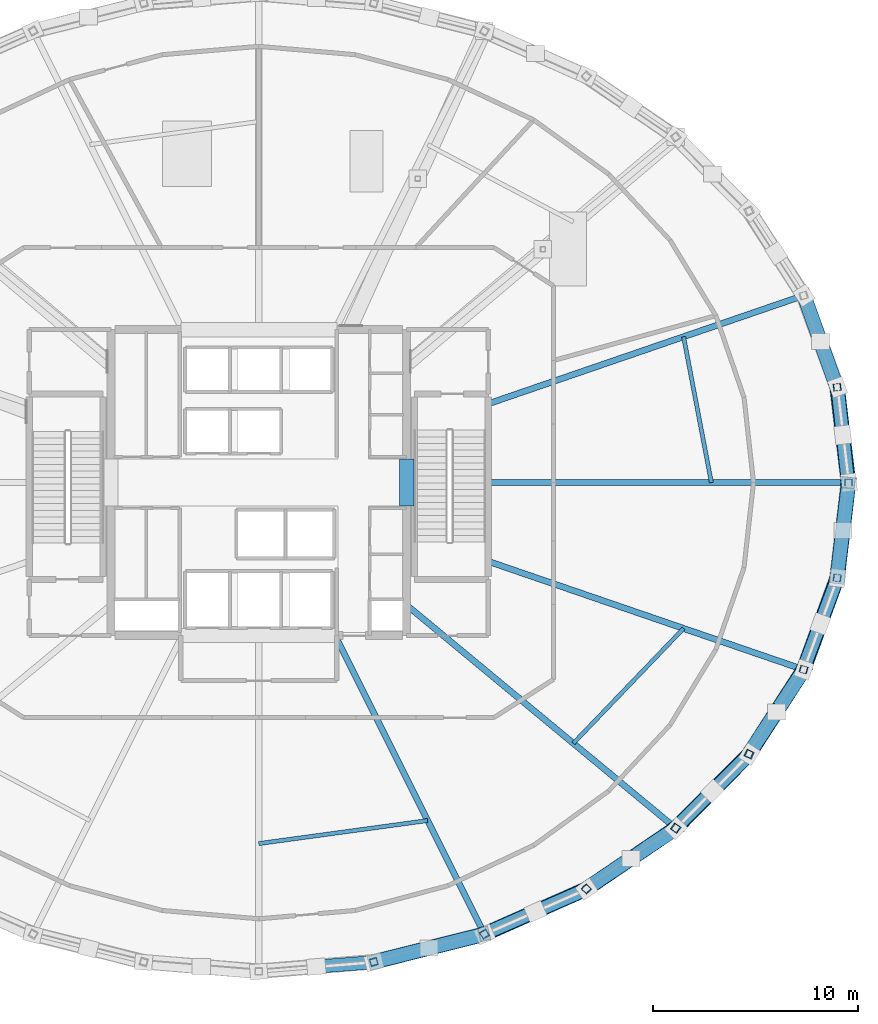
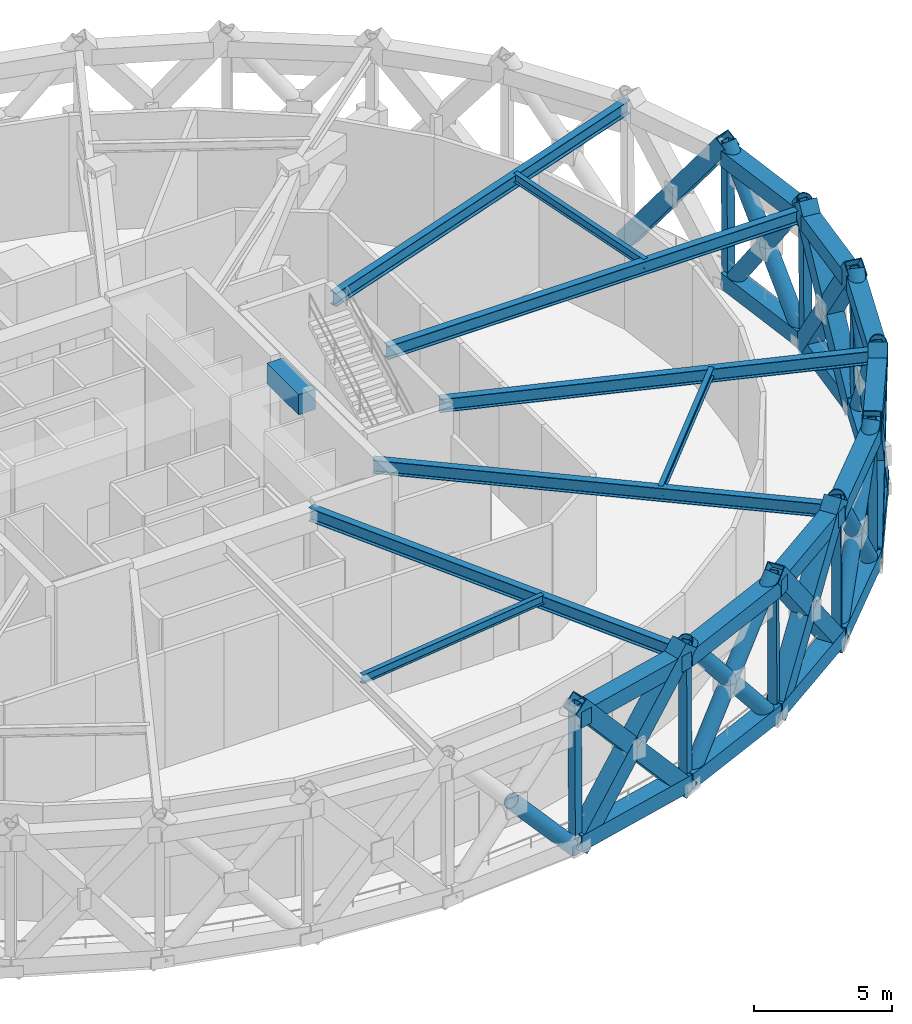
# One storey, part 3 of 15: 36 members, 25 beams.
"""IFC4 building model written with IfcOpenShell, lengths in metres."""

from ifc_helpers import new_model, si_unit, direction, frame, origin, origin_2d, place, context, subcontext, project, spatial, rectangle, hollow_rectangle, hollow_circle, i_section, extrude, material, material_profile, profile_set, type_object, element, save


model = new_model("IFC4")

# Units and contexts
model_context = context("Model", 3, precision=1e-05, world=origin(), true_north=direction((0.0, 1.0)))
body_context = subcontext(model_context, "Body", "Model", "MODEL_VIEW")
ifc_project = project(units=[si_unit("LENGTHUNIT", "METRE"), si_unit("AREAUNIT", "SQUARE_METRE"), si_unit("VOLUMEUNIT", "CUBIC_METRE"), si_unit("PLANEANGLEUNIT", "RADIAN"), si_unit("MASSUNIT", "GRAM", prefix="KILO")], contexts=[model_context])

# Site, building, storey
site_placement = place(None, origin())
site = spatial("IfcSite", under=ifc_project, at=site_placement, CompositionType="ELEMENT")
building_placement = place(site_placement, origin())
building = spatial("IfcBuilding", under=site, at=building_placement, Name="Veldorina Hangang Commons", CompositionType="ELEMENT")
storey_placement = place(building_placement, frame((0.0, 0.0, 110.800048828125)))
storey = spatial("IfcBuildingStorey", under=building, at=storey_placement, Name="L28", CompositionType="ELEMENT", Elevation=110.800048828125)

# Beams
ifc_material_1 = material(Name="Steel SM460-TMC", Category="steel")
ifc_material_profile_1 = material_profile(ifc_material_1, hollow_rectangle(XDim=0.699951171875, YDim=0.699951171875, WallThickness=0.034912109375, at=origin_2d()), Name="BOX-700x700x35")
ifc_profile_set_1 = profile_set([ifc_material_profile_1], Name="Steel SM460-TMC")
beam_type_1 = type_object("IfcBeamType", Name="BM-BLT700", PredefinedType="BEAM", material=ifc_profile_set_1)
beam_1_placement = place(storey_placement, frame((60.710205078125, 24.0, 5.800048828125), z_axis=(-0.11801673487, 0.993011606322, 0.0), x_axis=(-0.993011606322, -0.11801673487, 0.0)))
element("IfcBeam", 1, at=beam_1_placement, inside=storey, type_object=beam_type_1, Name="L28 perimeter hoop ring beam 00", PredefinedType="BEAM", context=body_context, shape_type="SweptSolid", body=[
    extrude(hollow_rectangle(XDim=0.699951171875, YDim=0.699951171875, WallThickness=0.034912109375, at=origin_2d()), origin(), (0.0, 0.0, 1.0), 4.67529296875),
])
beam_2_placement = place(storey_placement, frame((37.60107421875, 0.66015625, 5.800048828125), z_axis=(0.969810585596, 0.243859443259, 0.0), x_axis=(-0.243859443259, 0.969810585596, 0.0)))
element("IfcBeam", 2, at=beam_2_placement, inside=storey, type_object=beam_type_1, Name="L28 perimeter hoop ring beam 25", PredefinedType="BEAM", context=body_context, shape_type="SweptSolid", body=[
    extrude(hollow_rectangle(XDim=0.699951171875, YDim=0.699951171875, WallThickness=0.034912109375, at=origin_2d()), origin(), (0.0, 0.0, 1.0), 5.553466796875),
])
beam_3_placement = place(storey_placement, frame((42.98681640625, 2.014404296875, 5.800048828125), z_axis=(0.914294911921, 0.405049150149, 0.0), x_axis=(-0.405049150149, 0.914294911921, 0.0)))
element("IfcBeam", 3, at=beam_3_placement, inside=storey, type_object=beam_type_1, Name="L28 perimeter hoop ring beam 26", PredefinedType="BEAM", context=body_context, shape_type="SweptSolid", body=[
    extrude(hollow_rectangle(XDim=0.699951171875, YDim=0.699951171875, WallThickness=0.034912109375, at=origin_2d()), origin(), (0.0, 0.0, 1.0), 5.428955078125),
])
beam_4_placement = place(storey_placement, frame((47.950439453125, 4.21337890625, 5.800048828125), z_axis=(0.82684623749, 0.56242803944, 0.0), x_axis=(-0.56242803944, 0.82684623749, 0.0)))
element("IfcBeam", 4, at=beam_4_placement, inside=storey, type_object=beam_type_1, Name="L28 perimeter hoop ring beam 27", PredefinedType="BEAM", context=body_context, shape_type="SweptSolid", body=[
    extrude(hollow_rectangle(XDim=0.699951171875, YDim=0.699951171875, WallThickness=0.034912109375, at=origin_2d()), origin(), (0.0, 0.0, 1.0), 5.261962890625),
])
beam_5_placement = place(storey_placement, frame((52.30126953125, 7.1728515625, 5.800048828125), z_axis=(0.703561848437, 0.710634030584, 0.0), x_axis=(-0.710634030584, 0.703561848437, 0.0)))
element("IfcBeam", 5, at=beam_5_placement, inside=storey, type_object=beam_type_1, Name="L28 perimeter hoop ring beam 28", PredefinedType="BEAM", context=body_context, shape_type="SweptSolid", body=[
    extrude(hollow_rectangle(XDim=0.699951171875, YDim=0.699951171875, WallThickness=0.034912109375, at=origin_2d()), origin(), (0.0, 0.0, 1.0), 5.07470703125),
])
beam_6_placement = place(storey_placement, frame((55.87158203125, 10.779052734375, 5.800048828125), z_axis=(0.541941702244, 0.840416082288, 0.0), x_axis=(-0.840416082288, 0.541941702244, 0.0)))
element("IfcBeam", 6, at=beam_6_placement, inside=storey, type_object=beam_type_1, Name="L28 perimeter hoop ring beam 29", PredefinedType="BEAM", context=body_context, shape_type="SweptSolid", body=[
    extrude(hollow_rectangle(XDim=0.699951171875, YDim=0.699951171875, WallThickness=0.034912109375, at=origin_2d()), origin(), (0.0, 0.0, 1.0), 4.8955078125),
])
beam_7_placement = place(storey_placement, frame((58.524658203125, 14.893310546875, 5.800048828125), z_axis=(0.343688691321, 0.939083640289, 0.0), x_axis=(-0.939083640289, 0.343688691321, 0.0)))
element("IfcBeam", 7, at=beam_7_placement, inside=storey, type_object=beam_type_1, Name="L28 perimeter hoop ring beam 30", PredefinedType="BEAM", context=body_context, shape_type="SweptSolid", body=[
    extrude(hollow_rectangle(XDim=0.699951171875, YDim=0.699951171875, WallThickness=0.034912109375, at=origin_2d()), origin(), (0.0, 0.0, 1.0), 4.753662109375),
])
beam_8_placement = place(storey_placement, frame((60.158447265625, 19.357421875, 5.800048828125), z_axis=(0.11801673487, 0.993011606322, 0.0), x_axis=(-0.993011606322, 0.11801673487, 0.0)))
element("IfcBeam", 8, at=beam_8_placement, inside=storey, type_object=beam_type_1, Name="L28 perimeter hoop ring beam 31", PredefinedType="BEAM", context=body_context, shape_type="SweptSolid", body=[
    extrude(hollow_rectangle(XDim=0.699951171875, YDim=0.699951171875, WallThickness=0.034912109375, at=origin_2d()), origin(), (0.0, 0.0, 1.0), 4.67529296875),
])
beam_9_placement = place(storey_placement, frame((60.7451171875, 24.0, 0.349853515625), z_axis=(-0.117997345325, 0.993013910525, 0.0), x_axis=(-0.993013910525, -0.117997345325, 0.0)))
element("IfcBeam", 9, at=beam_9_placement, inside=storey, type_object=beam_type_1, Name="L28 perimeter belt truss bottom chord 00", PredefinedType="BEAM", context=body_context, shape_type="SweptSolid", body=[
    extrude(hollow_rectangle(XDim=0.699951171875, YDim=0.699951171875, WallThickness=0.034912109375, at=origin_2d()), origin(), (0.0, 0.0, 1.0), 4.68017578125),
])
beam_10_placement = place(storey_placement, frame((37.60791015625, 0.635986328125, 0.349853515625), z_axis=(0.969818780043, 0.243826852247, 0.0), x_axis=(-0.243826852247, 0.969818780043, 0.0)))
element("IfcBeam", 10, at=beam_10_placement, inside=storey, type_object=beam_type_1, Name="L28 perimeter belt truss bottom chord 25", PredefinedType="BEAM", context=body_context, shape_type="SweptSolid", body=[
    extrude(hollow_rectangle(XDim=0.699951171875, YDim=0.699951171875, WallThickness=0.034912109375, at=origin_2d()), origin(), (0.0, 0.0, 1.0), 5.56005859375),
])
beam_11_placement = place(storey_placement, frame((43.000244140625, 1.99169921875, 0.349853515625), z_axis=(0.914312800073, 0.40500876981, 0.0), x_axis=(-0.40500876981, 0.914312800073, 0.0)))
element("IfcBeam", 11, at=beam_11_placement, inside=storey, type_object=beam_type_1, Name="L28 perimeter belt truss bottom chord 26", PredefinedType="BEAM", context=body_context, shape_type="SweptSolid", body=[
    extrude(hollow_rectangle(XDim=0.699951171875, YDim=0.699951171875, WallThickness=0.034912109375, at=origin_2d()), origin(), (0.0, 0.0, 1.0), 5.435546875),
])
beam_12_placement = place(storey_placement, frame((47.969970703125, 4.193115234375, 0.349853515625), z_axis=(0.826895468629, 0.562355656112, 0.0), x_axis=(-0.562355656112, 0.826895468629, 0.0)))
element("IfcBeam", 12, at=beam_12_placement, inside=storey, type_object=beam_type_1, Name="L28 perimeter belt truss bottom chord 27", PredefinedType="BEAM", context=body_context, shape_type="SweptSolid", body=[
    extrude(hollow_rectangle(XDim=0.699951171875, YDim=0.699951171875, WallThickness=0.034912109375, at=origin_2d()), origin(), (0.0, 0.0, 1.0), 5.267822265625),
])
beam_13_placement = place(storey_placement, frame((52.325927734375, 7.155517578125, 0.349853515625), z_axis=(0.70366253431, 0.710534332603, 0.0), x_axis=(-0.710534332603, 0.70366253431, 0.0)))
element("IfcBeam", 13, at=beam_13_placement, inside=storey, type_object=beam_type_1, Name="L28 perimeter belt truss bottom chord 28", PredefinedType="BEAM", context=body_context, shape_type="SweptSolid", body=[
    extrude(hollow_rectangle(XDim=0.699951171875, YDim=0.699951171875, WallThickness=0.034912109375, at=origin_2d()), origin(), (0.0, 0.0, 1.0), 5.08056640625),
])
beam_14_placement = place(storey_placement, frame((55.90087890625, 10.765380859375, 0.349853515625), z_axis=(0.542013393929, 0.840369847628, 0.0), x_axis=(-0.840369847628, 0.542013393929, 0.0)))
element("IfcBeam", 14, at=beam_14_placement, inside=storey, type_object=beam_type_1, Name="L28 perimeter belt truss bottom chord 29", PredefinedType="BEAM", context=body_context, shape_type="SweptSolid", body=[
    extrude(hollow_rectangle(XDim=0.699951171875, YDim=0.699951171875, WallThickness=0.034912109375, at=origin_2d()), origin(), (0.0, 0.0, 1.0), 4.900634765625),
])
beam_15_placement = place(storey_placement, frame((58.55712890625, 14.8837890625, 0.349853515625), z_axis=(0.343736030444, 0.939066313619, 0.0), x_axis=(-0.939066313619, 0.343736030444, 0.0)))
element("IfcBeam", 15, at=beam_15_placement, inside=storey, type_object=beam_type_1, Name="L28 perimeter belt truss bottom chord 30", PredefinedType="BEAM", context=body_context, shape_type="SweptSolid", body=[
    extrude(hollow_rectangle(XDim=0.699951171875, YDim=0.699951171875, WallThickness=0.034912109375, at=origin_2d()), origin(), (0.0, 0.0, 1.0), 4.7587890625),
])
beam_16_placement = place(storey_placement, frame((60.19287109375, 19.3525390625, 0.349853515625), z_axis=(0.117997345325, 0.993013910525, 0.0), x_axis=(-0.993013910525, 0.117997345325, 0.0)))
element("IfcBeam", 16, at=beam_16_placement, inside=storey, type_object=beam_type_1, Name="L28 perimeter belt truss bottom chord 31", PredefinedType="BEAM", context=body_context, shape_type="SweptSolid", body=[
    extrude(hollow_rectangle(XDim=0.699951171875, YDim=0.699951171875, WallThickness=0.034912109375, at=origin_2d()), origin(), (0.0, 0.0, 1.0), 4.68017578125),
])
ifc_material_2 = material(Name="Concrete C70/85", Category="concrete")
ifc_material_profile_2 = material_profile(ifc_material_2, rectangle(XDim=0.699951171875, YDim=0.89990234375, at=origin_2d()), Name="RC-CB-700x900")
ifc_profile_set_2 = profile_set([ifc_material_profile_2], Name="Concrete C70/85")
beam_type_2 = type_object("IfcBeamType", Name="BM-CB900", PredefinedType="LINTEL", material=ifc_profile_set_2)
beam_17_placement = place(storey_placement, frame((39.199951171875, 22.85009765625, 5.699951171875), z_axis=(0.0, 1.0, 0.0), x_axis=(-1.0, 0.0, 0.0)))
element("IfcBeam", 17, at=beam_17_placement, inside=storey, type_object=beam_type_2, Name="L28 E core coupling lintel beam", PredefinedType="LINTEL", context=body_context, shape_type="SweptSolid", body=[
    extrude(rectangle(XDim=0.699951171875, YDim=0.89990234375, at=origin_2d()), origin(), (0.0, 0.0, 1.0), 2.2998046875),
])
ifc_material_profile_3 = material_profile(ifc_material_1, i_section(OverallWidth=0.300048828125, OverallDepth=0.587890625, WebThickness=0.011962890625, FlangeThickness=0.02001953125, FilletRadius=0.01806640625, at=origin_2d()), Name="H-588x300x12x20")
ifc_profile_set_3 = profile_set([ifc_material_profile_3], Name="Steel SM460-TMC")
beam_type_3 = type_object("IfcBeamType", Name="BM-FG588", PredefinedType="BEAM", material=ifc_profile_set_3)
beam_18_placement = place(storey_placement, frame((43.179931640625, 24.0, 5.85595703125), z_axis=(1.0, 0.0, 0.0), x_axis=(0.0, 1.0, 0.0)))
element("IfcBeam", 18, at=beam_18_placement, inside=storey, type_object=beam_type_3, Name="L28 radial floor girder 01", PredefinedType="BEAM", context=body_context, shape_type="SweptSolid", body=[
    extrude(i_section(OverallWidth=0.300048828125, OverallDepth=0.587890625, WebThickness=0.011962890625, FlangeThickness=0.02001953125, FilletRadius=0.01806640625, at=origin_2d()), origin(), (0.0, 0.0, 1.0), 17.5302734375),
])
beam_19_placement = place(storey_placement, frame((43.179931640625, 27.83837890625, 5.85595703125), z_axis=(0.945808547847, 0.324724792433, 0.0), x_axis=(-0.324724792433, 0.945808547847, 0.0)))
element("IfcBeam", 19, at=beam_19_placement, inside=storey, type_object=beam_type_3, Name="L28 radial floor girder 02", PredefinedType="BEAM", context=body_context, shape_type="SweptSolid", body=[
    extrude(i_section(OverallWidth=0.300048828125, OverallDepth=0.587890625, WebThickness=0.011962890625, FlangeThickness=0.02001953125, FilletRadius=0.01806640625, at=origin_2d()), origin(), (0.0, 0.0, 1.0), 16.223876953125),
])
beam_20_placement = place(storey_placement, frame((35.722900390625, 16.550048828125, 5.85595703125), z_axis=(0.447021272714, -0.89452332655, 0.0), x_axis=(0.89452332655, 0.447021272714, 0.0)))
element("IfcBeam", 20, at=beam_20_placement, inside=storey, type_object=beam_type_3, Name="L28 radial floor girder 14", PredefinedType="BEAM", context=body_context, shape_type="SweptSolid", body=[
    extrude(i_section(OverallWidth=0.300048828125, OverallDepth=0.587890625, WebThickness=0.011962890625, FlangeThickness=0.02001953125, FilletRadius=0.01806640625, at=origin_2d()), origin(), (0.0, 0.0, 1.0), 16.24951171875),
])
beam_21_placement = place(storey_placement, frame((39.199951171875, 18.031982421875, 5.85595703125), z_axis=(0.769913202831, -0.638148619137, 0.0), x_axis=(0.638148619137, 0.769913202831, 0.0)))
element("IfcBeam", 21, at=beam_21_placement, inside=storey, type_object=beam_type_3, Name="L28 radial floor girder 15", PredefinedType="BEAM", context=body_context, shape_type="SweptSolid", body=[
    extrude(i_section(OverallWidth=0.300048828125, OverallDepth=0.587890625, WebThickness=0.011962890625, FlangeThickness=0.02001953125, FilletRadius=0.01806640625, at=origin_2d()), origin(), (0.0, 0.0, 1.0), 17.0166015625),
])
beam_22_placement = place(storey_placement, frame((43.179931640625, 20.16162109375, 5.85595703125), z_axis=(0.945808547847, -0.324724792433, 0.0), x_axis=(0.324724792433, 0.945808547847, 0.0)))
element("IfcBeam", 22, at=beam_22_placement, inside=storey, type_object=beam_type_3, Name="L28 radial floor girder 16", PredefinedType="BEAM", context=body_context, shape_type="SweptSolid", body=[
    extrude(i_section(OverallWidth=0.300048828125, OverallDepth=0.587890625, WebThickness=0.011962890625, FlangeThickness=0.02001953125, FilletRadius=0.01806640625, at=origin_2d()), origin(), (0.0, 0.0, 1.0), 16.223876953125),
])
ifc_material_3 = material(Name="Steel SM355-TMC", Category="steel")
ifc_material_profile_4 = material_profile(ifc_material_3, i_section(OverallWidth=0.199951171875, OverallDepth=0.39990234375, WebThickness=0.008056640625, FlangeThickness=0.012939453125, FilletRadius=0.012939453125, at=origin_2d()), Name="H-400x200x8x13")
ifc_profile_set_4 = profile_set([ifc_material_profile_4], Name="Steel SM355-TMC")
beam_type_4 = type_object("IfcBeamType", Name="BM-JST400", PredefinedType="JOIST", material=ifc_profile_set_4)
beam_23_placement = place(storey_placement, frame((54.048583984375, 24.0, 5.949951171875), z_axis=(-0.187338562213, 0.982295405216, 0.0), x_axis=(-0.982295405216, -0.187338562213, 0.0)))
element("IfcBeam", 23, at=beam_23_placement, inside=storey, type_object=beam_type_4, Name="L28 secondary floor joist 01", PredefinedType="JOIST", context=body_context, shape_type="SweptSolid", body=[
    extrude(i_section(OverallWidth=0.199951171875, OverallDepth=0.39990234375, WebThickness=0.008056640625, FlangeThickness=0.012939453125, FilletRadius=0.012939453125, at=origin_2d()), origin(), (0.0, 0.0, 1.0), 7.23291015625),
])
beam_24_placement = place(storey_placement, frame((32.0, 6.414794921875, 5.949951171875), z_axis=(0.990810116835, 0.135260165522, 0.0), x_axis=(-0.135260165522, 0.990810116835, 0.0)))
element("IfcBeam", 24, at=beam_24_placement, inside=storey, type_object=beam_type_4, Name="L28 secondary floor joist 13", PredefinedType="JOIST", context=body_context, shape_type="SweptSolid", body=[
    extrude(i_section(OverallWidth=0.199951171875, OverallDepth=0.39990234375, WebThickness=0.008056640625, FlangeThickness=0.012939453125, FilletRadius=0.012939453125, at=origin_2d()), origin(), (0.0, 0.0, 1.0), 8.302978515625),
])
beam_25_placement = place(storey_placement, frame((47.32275390625, 11.29931640625, 5.949951171875), z_axis=(0.692447301293, 0.721468457336, 0.0), x_axis=(-0.721468457337, 0.692447301293, 0.0)))
element("IfcBeam", 25, at=beam_25_placement, inside=storey, type_object=beam_type_4, Name="L28 secondary floor joist 15", PredefinedType="JOIST", context=body_context, shape_type="SweptSolid", body=[
    extrude(i_section(OverallWidth=0.199951171875, OverallDepth=0.39990234375, WebThickness=0.008056640625, FlangeThickness=0.012939453125, FilletRadius=0.012939453125, at=origin_2d()), origin(), (0.0, 0.0, 1.0), 7.75634765625),
])

# Members
ifc_material_profile_5 = material_profile(ifc_material_1, hollow_circle(Radius=0.324951171875, WallThickness=0.031982421875, at=origin_2d()), Name="CHS-650x32")
ifc_profile_set_5 = profile_set([ifc_material_profile_5], Name="Steel SM460-TMC")
member_type_1 = type_object("IfcMemberType", Name="DG-CHS650", PredefinedType="BRACE", material=ifc_profile_set_5)
member_1_placement = place(storey_placement, frame((60.7451171875, 24.0, 0.0), z_axis=(-0.074459848672, 0.585516775292, 0.807233446277), x_axis=(-0.99201073761, -0.12615346395, 0.0)))
element("IfcMember", 26, at=member_1_placement, inside=storey, type_object=member_type_1, Name="L28 continuous perimeter diagrid brace 00", PredefinedType="BRACE", context=body_context, shape_type="SweptSolid", body=[
    extrude(hollow_circle(Radius=0.324951171875, WallThickness=0.031982421875, at=origin_2d()), origin(), (0.0, 0.0, 1.0), 7.92822265625),
])
member_2_placement = place(storey_placement, frame((60.19287109375, 28.6474609375, 0.0), z_axis=(0.064835509321, -0.586351904337, 0.807457615613), x_axis=(0.993942145572, 0.109904555212, 0.0)))
element("IfcMember", 27, at=member_2_placement, inside=storey, type_object=member_type_1, Name="L28 split perimeter diagrid lower brace 01", PredefinedType="BRACE", context=body_context, shape_type="SweptSolid", body=[
    extrude(hollow_circle(Radius=0.324951171875, WallThickness=0.031982421875, at=origin_2d()), origin(), (0.0, 0.0, 1.0), 3.965087890625),
])
member_3_placement = place(storey_placement, frame((60.449951171875, 26.322509765625, 3.20166015625), z_axis=(0.064781360296, -0.586360685535, 0.807455585043), x_axis=(0.993952348018, 0.109812248267, 0.0)))
element("IfcMember", 28, at=member_3_placement, inside=storey, type_object=member_type_1, Name="L28 split perimeter diagrid upper brace 01", PredefinedType="BRACE", context=body_context, shape_type="SweptSolid", body=[
    extrude(hollow_circle(Radius=0.324951171875, WallThickness=0.031982421875, at=origin_2d()), origin(), (0.0, 0.0, 1.0), 3.9609375),
])
member_4_placement = place(storey_placement, frame((37.60791015625, 0.635986328125, 0.0), z_axis=(-0.658199029758, -0.05051175013, 0.751147522345), x_axis=(0.07651737534, -0.997068248051, 0.0)))
element("IfcMember", 29, at=member_4_placement, inside=storey, type_object=member_type_1, Name="L28 split perimeter diagrid lower brace 25", PredefinedType="BRACE", context=body_context, shape_type="SweptSolid", body=[
    extrude(hollow_circle(Radius=0.324951171875, WallThickness=0.031982421875, at=origin_2d()), origin(), (0.0, 0.0, 1.0), 4.262939453125),
])
member_5_placement = place(storey_placement, frame((43.000244140625, 1.99169921875, 0.0), z_axis=(0.589789546616, 0.265067741273, 0.762815431962), x_axis=(-0.409930508181, 0.912116757034, 0.0)))
element("IfcMember", 30, at=member_5_placement, inside=storey, type_object=member_type_1, Name="L28 continuous perimeter diagrid brace 26", PredefinedType="BRACE", context=body_context, shape_type="SweptSolid", body=[
    extrude(hollow_circle(Radius=0.324951171875, WallThickness=0.031982421875, at=origin_2d()), origin(), (0.0, 0.0, 1.0), 8.389892578125),
])
member_6_placement = place(storey_placement, frame((47.969970703125, 4.193115234375, 0.0), z_axis=(-0.593466932041, -0.259115273314, 0.762008054885), x_axis=(0.400136287926, -0.916455646, 0.0)))
element("IfcMember", 31, at=member_6_placement, inside=storey, type_object=member_type_1, Name="L28 split perimeter diagrid lower brace 27", PredefinedType="BRACE", context=body_context, shape_type="SweptSolid", body=[
    extrude(hollow_circle(Radius=0.324951171875, WallThickness=0.031982421875, at=origin_2d()), origin(), (0.0, 0.0, 1.0), 4.2021484375),
])
member_7_placement = place(storey_placement, frame((45.47607421875, 3.104248046875, 3.2021484375), z_axis=(-0.593457611137, -0.259175929577, 0.761994685881), x_axis=(0.400220233271, -0.916418989808, 0.0)))
element("IfcMember", 32, at=member_7_placement, inside=storey, type_object=member_type_1, Name="L28 split perimeter diagrid upper brace 27", PredefinedType="BRACE", context=body_context, shape_type="SweptSolid", body=[
    extrude(hollow_circle(Radius=0.324951171875, WallThickness=0.031982421875, at=origin_2d()), origin(), (0.0, 0.0, 1.0), 4.196533203125),
])
member_8_placement = place(storey_placement, frame((52.325927734375, 7.155517578125, 0.0), z_axis=(0.433946738808, 0.44402461428, 0.783921150239), x_axis=(-0.715176258273, 0.698944146269, 0.0)))
element("IfcMember", 33, at=member_8_placement, inside=storey, type_object=member_type_1, Name="L28 continuous perimeter diagrid brace 28", PredefinedType="BRACE", context=body_context, shape_type="SweptSolid", body=[
    extrude(hollow_circle(Radius=0.324951171875, WallThickness=0.031982421875, at=origin_2d()), origin(), (0.0, 0.0, 1.0), 8.1640625),
])
member_9_placement = place(storey_placement, frame((55.90087890625, 10.765380859375, 0.0), z_axis=(-0.440705770745, -0.439213471643, 0.782860108806), x_axis=(0.705906548211, -0.708304980353, 0.0)))
element("IfcMember", 34, at=member_9_placement, inside=storey, type_object=member_type_1, Name="L28 split perimeter diagrid lower brace 29", PredefinedType="BRACE", context=body_context, shape_type="SweptSolid", body=[
    extrude(hollow_circle(Radius=0.324951171875, WallThickness=0.031982421875, at=origin_2d()), origin(), (0.0, 0.0, 1.0), 4.090087890625),
])
member_10_placement = place(storey_placement, frame((54.098388671875, 8.968994140625, 3.201904296875), z_axis=(-0.440610060946, -0.439235395807, 0.782901680457), x_axis=(0.706001140194, -0.708210696082, 0.0)))
element("IfcMember", 35, at=member_10_placement, inside=storey, type_object=member_type_1, Name="L28 split perimeter diagrid upper brace 29", PredefinedType="BRACE", context=body_context, shape_type="SweptSolid", body=[
    extrude(hollow_circle(Radius=0.324951171875, WallThickness=0.031982421875, at=origin_2d()), origin(), (0.0, 0.0, 1.0), 4.084716796875),
])
member_11_placement = place(storey_placement, frame((58.55712890625, 14.8837890625, 0.0), z_axis=(0.200445948068, 0.56133441997, 0.802947751015), x_axis=(-0.941758187609, 0.336290820676, 0.0)))
element("IfcMember", 36, at=member_11_placement, inside=storey, type_object=member_type_1, Name="L28 continuous perimeter diagrid brace 30", PredefinedType="BRACE", context=body_context, shape_type="SweptSolid", body=[
    extrude(hollow_circle(Radius=0.324951171875, WallThickness=0.031982421875, at=origin_2d()), origin(), (0.0, 0.0, 1.0), 7.970458984375),
])
member_12_placement = place(storey_placement, frame((60.19287109375, 19.3525390625, 0.0), z_axis=(-0.209603943451, -0.558882668833, 0.802319356221), x_axis=(0.936316540259, -0.351157139237, 0.0)))
element("IfcMember", 37, at=member_12_placement, inside=storey, type_object=member_type_1, Name="L28 split perimeter diagrid lower brace 31", PredefinedType="BRACE", context=body_context, shape_type="SweptSolid", body=[
    extrude(hollow_circle(Radius=0.324951171875, WallThickness=0.031982421875, at=origin_2d()), origin(), (0.0, 0.0, 1.0), 3.990478515625),
])
member_13_placement = place(storey_placement, frame((59.3564453125, 17.122314453125, 3.20166015625), z_axis=(-0.209519934611, -0.558923976399, 0.80231252365), x_axis=(0.93637133717, -0.351010995448, 0.0)))
element("IfcMember", 38, at=member_13_placement, inside=storey, type_object=member_type_1, Name="L28 split perimeter diagrid upper brace 31", PredefinedType="BRACE", context=body_context, shape_type="SweptSolid", body=[
    extrude(hollow_circle(Radius=0.324951171875, WallThickness=0.031982421875, at=origin_2d()), origin(), (0.0, 0.0, 1.0), 3.986328125),
])
ifc_material_profile_6 = material_profile(ifc_material_1, hollow_rectangle(XDim=0.699951171875, YDim=0.699951171875, WallThickness=0.034912109375, at=origin_2d()), Name="BOX-700x700x35")
ifc_profile_set_6 = profile_set([ifc_material_profile_6], Name="Steel SM460-TMC")
member_type_2 = type_object("IfcMemberType", Name="OR-BOX700", PredefinedType="BRACE", material=ifc_profile_set_6)
member_14_placement = place(storey_placement, frame((58.55712890625, 33.1162109375, 0.0), z_axis=(0.200518822776, -0.561330249531, 0.802932470806), x_axis=(0.941718669979, 0.336401466425, 0.0)))
element("IfcMember", 39, at=member_14_placement, inside=storey, type_object=member_type_2, Name="L28 belt truss split lower brace 02", PredefinedType="BRACE", context=body_context, shape_type="SweptSolid", body=[
    extrude(hollow_rectangle(XDim=0.699951171875, YDim=0.699951171875, WallThickness=0.034912109375, at=origin_2d()), origin(), (0.0, 0.0, 1.0), 3.987548828125),
])
member_15_placement = place(storey_placement, frame((59.356689453125, 30.8779296875, 3.20166015625), z_axis=(0.200372991583, -0.561338591899, 0.802963043664), x_axis=(0.941797738689, 0.336180040159, 0.0)))
element("IfcMember", 40, at=member_15_placement, inside=storey, type_object=member_type_2, Name="L28 belt truss split upper brace 02", PredefinedType="BRACE", context=body_context, shape_type="SweptSolid", body=[
    extrude(hollow_rectangle(XDim=0.699951171875, YDim=0.699951171875, WallThickness=0.034912109375, at=origin_2d()), origin(), (0.0, 0.0, 1.0), 3.983154296875),
])
member_16_placement = place(storey_placement, frame((37.60791015625, 0.635986328125, 0.0), z_axis=(0.634717564773, 0.162951279284, 0.755367786941), x_axis=(-0.248666275804, 0.968589223189, 0.0)))
element("IfcMember", 41, at=member_16_placement, inside=storey, type_object=member_type_2, Name="L28 belt truss continuous brace 25", PredefinedType="BRACE", context=body_context, shape_type="SweptSolid", body=[
    extrude(hollow_rectangle(XDim=0.699951171875, YDim=0.699951171875, WallThickness=0.034912109375, at=origin_2d()), origin(), (0.0, 0.0, 1.0), 8.47265625),
])
member_17_placement = place(storey_placement, frame((43.000244140625, 1.99169921875, 0.0), z_axis=(-0.636881626804, -0.156716850695, 0.754865300665), x_axis=(0.238941401623, -0.971033988381, 0.0)))
element("IfcMember", 42, at=member_17_placement, inside=storey, type_object=member_type_2, Name="L28 belt truss split lower brace 26", PredefinedType="BRACE", context=body_context, shape_type="SweptSolid", body=[
    extrude(hollow_rectangle(XDim=0.699951171875, YDim=0.699951171875, WallThickness=0.034912109375, at=origin_2d()), origin(), (0.0, 0.0, 1.0), 4.241943359375),
])
member_18_placement = place(storey_placement, frame((40.298583984375, 1.326904296875, 3.2021484375), z_axis=(-0.636912278949, -0.156807664768, 0.754820578147), x_axis=(0.23906110336, -0.971004525664, 0.0)))
element("IfcMember", 43, at=member_18_placement, inside=storey, type_object=member_type_2, Name="L28 belt truss split upper brace 26", PredefinedType="BRACE", context=body_context, shape_type="SweptSolid", body=[
    extrude(hollow_rectangle(XDim=0.699951171875, YDim=0.699951171875, WallThickness=0.034912109375, at=origin_2d()), origin(), (0.0, 0.0, 1.0), 4.236328125),
])
member_19_placement = place(storey_placement, frame((47.969970703125, 4.193115234375, 0.0), z_axis=(0.522673746237, 0.360034656672, 0.772778882339), x_axis=(-0.5672737362, 0.823529300157, 0.0)))
element("IfcMember", 44, at=member_19_placement, inside=storey, type_object=member_type_2, Name="L28 belt truss continuous brace 27", PredefinedType="BRACE", context=body_context, shape_type="SweptSolid", body=[
    extrude(hollow_rectangle(XDim=0.699951171875, YDim=0.699951171875, WallThickness=0.034912109375, at=origin_2d()), origin(), (0.0, 0.0, 1.0), 8.28173828125),
])
member_20_placement = place(storey_placement, frame((52.325927734375, 7.155517578125, 0.0), z_axis=(-0.527915407708, -0.354493636833, 0.771776900244), x_axis=(0.557473370215, -0.830194821413, 0.0)))
element("IfcMember", 45, at=member_20_placement, inside=storey, type_object=member_type_2, Name="L28 belt truss split lower brace 28", PredefinedType="BRACE", context=body_context, shape_type="SweptSolid", body=[
    extrude(hollow_rectangle(XDim=0.699951171875, YDim=0.699951171875, WallThickness=0.034912109375, at=origin_2d()), origin(), (0.0, 0.0, 1.0), 4.148681640625),
])
member_21_placement = place(storey_placement, frame((50.1357421875, 5.684814453125, 3.201904296875), z_axis=(-0.527855668114, -0.354574775166, 0.771780488517), x_axis=(0.55760478649, -0.830106560679, 0.0)))
element("IfcMember", 46, at=member_21_placement, inside=storey, type_object=member_type_2, Name="L28 belt truss split upper brace 28", PredefinedType="BRACE", context=body_context, shape_type="SweptSolid", body=[
    extrude(hollow_rectangle(XDim=0.699951171875, YDim=0.699951171875, WallThickness=0.034912109375, at=origin_2d()), origin(), (0.0, 0.0, 1.0), 4.1435546875),
])
member_22_placement = place(storey_placement, frame((55.90087890625, 10.765380859375, 0.0), z_axis=(0.325334028228, 0.512629188986, 0.794587367554), x_axis=(-0.844320732997, 0.535838128385, 0.0)))
element("IfcMember", 47, at=member_22_placement, inside=storey, type_object=member_type_2, Name="L28 belt truss continuous brace 29", PredefinedType="BRACE", context=body_context, shape_type="SweptSolid", body=[
    extrude(hollow_rectangle(XDim=0.699951171875, YDim=0.699951171875, WallThickness=0.034912109375, at=origin_2d()), origin(), (0.0, 0.0, 1.0), 8.054443359375),
])
member_23_placement = place(storey_placement, frame((58.55712890625, 14.8837890625, 0.0), z_axis=(-0.333445080321, -0.508821458319, 0.793671910782), x_axis=(0.836401372289, -0.548117454961, 0.0)))
element("IfcMember", 48, at=member_23_placement, inside=storey, type_object=member_type_2, Name="L28 belt truss split lower brace 30", PredefinedType="BRACE", context=body_context, shape_type="SweptSolid", body=[
    extrude(hollow_rectangle(XDim=0.699951171875, YDim=0.699951171875, WallThickness=0.034912109375, at=origin_2d()), origin(), (0.0, 0.0, 1.0), 4.0341796875),
])
member_24_placement = place(storey_placement, frame((57.2119140625, 12.8310546875, 3.201904296875), z_axis=(-0.333363330869, -0.5088910607, 0.793661626873), x_axis=(0.836497336539, -0.547970990075, 0.0)))
element("IfcMember", 49, at=member_24_placement, inside=storey, type_object=member_type_2, Name="L28 belt truss split upper brace 30", PredefinedType="BRACE", context=body_context, shape_type="SweptSolid", body=[
    extrude(hollow_rectangle(XDim=0.699951171875, YDim=0.699951171875, WallThickness=0.034912109375, at=origin_2d()), origin(), (0.0, 0.0, 1.0), 4.029541015625),
])
member_25_placement = place(storey_placement, frame((60.19287109375, 19.3525390625, 0.0), z_axis=(0.064808449259, 0.586356292818, 0.807456601173), x_axis=(-0.99394724516, 0.10985842634, 0.0)))
element("IfcMember", 50, at=member_25_placement, inside=storey, type_object=member_type_2, Name="L28 belt truss continuous brace 31", PredefinedType="BRACE", context=body_context, shape_type="SweptSolid", body=[
    extrude(hollow_rectangle(XDim=0.699951171875, YDim=0.699951171875, WallThickness=0.034912109375, at=origin_2d()), origin(), (0.0, 0.0, 1.0), 7.926025390625),
])
member_26_placement = place(storey_placement, frame((60.7451171875, 24.0, 0.0), z_axis=(-0.074479060818, -0.585553145095, 0.807205292208), x_axis=(0.992007644662, -0.126177783038, 0.0)))
element("IfcMember", 51, at=member_26_placement, inside=storey, type_object=member_type_2, Name="L28 belt truss split lower brace 00", PredefinedType="BRACE", context=body_context, shape_type="SweptSolid", body=[
    extrude(hollow_rectangle(XDim=0.699951171875, YDim=0.699951171875, WallThickness=0.034912109375, at=origin_2d()), origin(), (0.0, 0.0, 1.0), 3.96630859375),
])
member_27_placement = place(storey_placement, frame((60.44970703125, 21.677490234375, 3.20166015625), z_axis=(-0.074440614467, -0.585480362622, 0.807261630391), x_axis=(0.992013833887, -0.126129113918, 0.0)))
element("IfcMember", 52, at=member_27_placement, inside=storey, type_object=member_type_2, Name="L28 belt truss split upper brace 00", PredefinedType="BRACE", context=body_context, shape_type="SweptSolid", body=[
    extrude(hollow_rectangle(XDim=0.699951171875, YDim=0.699951171875, WallThickness=0.034912109375, at=origin_2d()), origin(), (0.0, 0.0, 1.0), 3.9619140625),
])
ifc_material_profile_7 = material_profile(ifc_material_3, hollow_rectangle(XDim=0.35009765625, YDim=0.35009765625, WallThickness=0.01611328125, at=origin_2d()), Name="SHS-350x350x16")
ifc_profile_set_7 = profile_set([ifc_material_profile_7], Name="Steel SM355-TMC")
member_type_3 = type_object("IfcMemberType", Name="STR-SHS350", PredefinedType="STRUT", material=ifc_profile_set_7)
for number, where, z_axis, x_axis, name in (
    (53, (60.7451171875, 24.0, 0.0), (-0.006027204171, 0.0, 0.99998183624), (0.0, -1.0, 0.0), "L28 perimeter ring node post 00"),
    (54, (60.19287109375, 28.6474609375, 0.0), (-0.00595091107, -0.000839231048, 0.999981941011), (0.139643843047, -0.99020179615, 0.0), "L28 perimeter ring node post 01"),
    (55, (37.60791015625, 0.635986328125, 0.0), (-0.001182563147, 0.004158044614, 0.999990656061), (-0.96185623635, -0.273555443366, 0.0), "L28 perimeter ring node post 25"),
    (56, (43.000244140625, 1.99169921875, 0.0), (-0.002288829962, 0.003891010936, 0.999989810594), (-0.861934215158, -0.507020126563, 0.0), "L28 perimeter ring node post 26"),
    (57, (47.969970703125, 4.193115234375, 0.0), (-0.003356945228, 0.003509533648, 0.999988206977), (-0.722641857148, -0.691222645967, 0.0), "L28 perimeter ring node post 27"),
    (58, (52.325927734375, 7.155517578125, 0.0), (-0.004272467734, 0.003013615634, 0.999986331977), (-0.576396707797, -0.817170016117, 0.0), "L28 perimeter ring node post 28"),
    (59, (55.90087890625, 10.765380859375, 0.0), (-0.005035399304, 0.002365111794, 0.99998452538), (-0.425136471467, -0.905129261834, 0.0), "L28 perimeter ring node post 29"),
    (60, (58.55712890625, 14.8837890625, 0.0), (-0.005607594835, 0.001640316856, 0.999982931975), (-0.280752068438, -0.959780326985, 0.0), "L28 perimeter ring node post 30"),
    (61, (60.19287109375, 19.3525390625, 0.0), (-0.00595091107, 0.000839231048, 0.999981941011), (-0.139643843047, -0.99020179615, 0.0), "L28 perimeter ring node post 31"),
):
    element("IfcMember", number, at=place(storey_placement, frame(where, z_axis=z_axis, x_axis=x_axis)), inside=storey, type_object=member_type_3, Name=name, PredefinedType="STRUT", context=body_context, shape_type="SweptSolid", body=[
        extrude(hollow_rectangle(XDim=0.35009765625, YDim=0.35009765625, WallThickness=0.01611328125, at=origin_2d()), origin(), (0.0, 0.0, 1.0), 6.39990234375),
    ])

save(model, "model.ifc")
